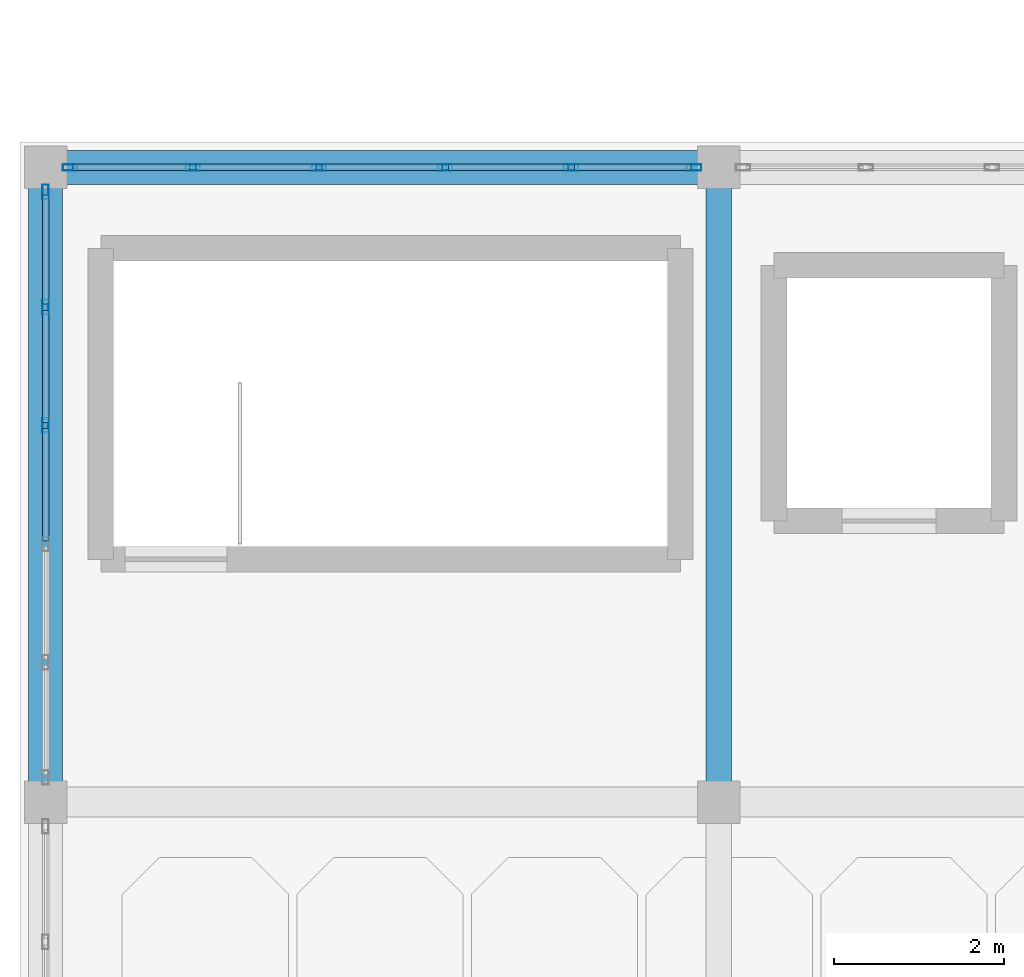
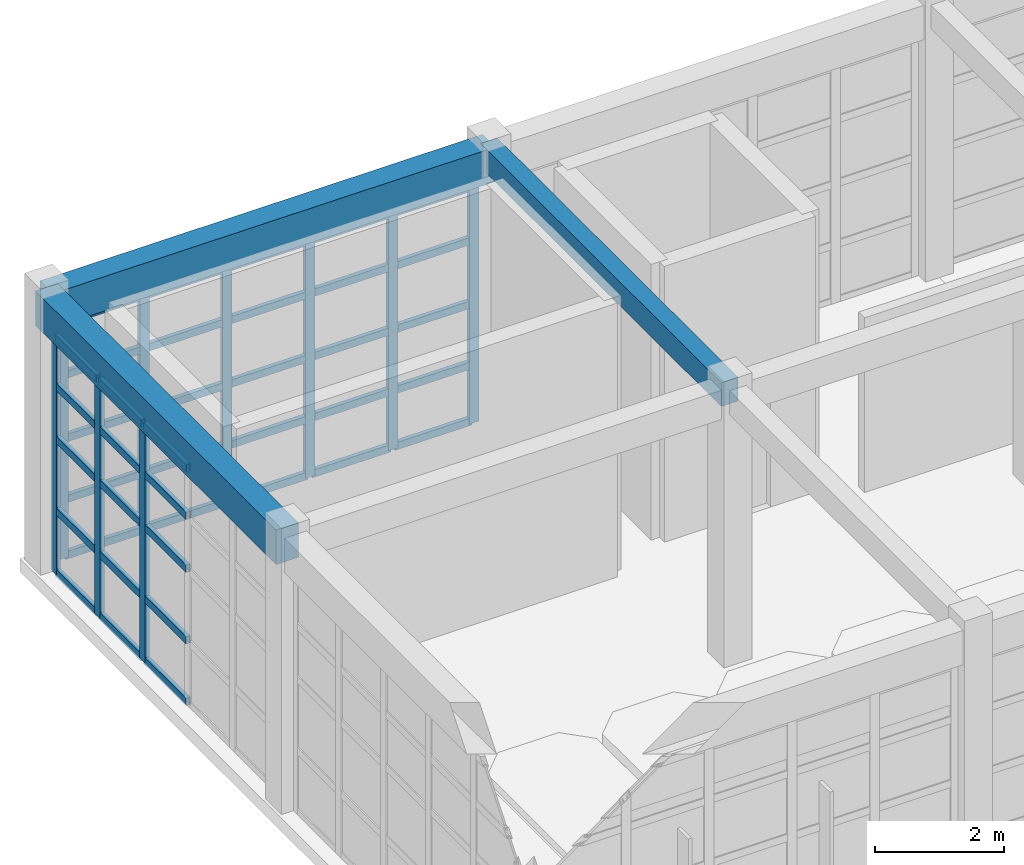
# One storey, part 11 of 103: 49 members, 3 beams, 2 elements without a shape of their own.
"""IFC4 building model written with IfcOpenShell, lengths in metres."""

import ifcopenshell
import ifcopenshell.guid

model = None  # the IFC model being written
_history = None  # IfcOwnerHistory: only IFC2X3 demands one
_inside = {}  # id of a spatial element -> (the spatial element, [elements in it])
_under = {}  # id of a project, library or spatial element -> (it, [spatial elements below it])
_declared = {}  # id of a project -> (the project, [libraries it declares])
_typed = {}  # id of a type object -> (the type object, [elements of that type])
_made_of = {}  # id of a material, layer set ... -> (it, [elements and type objects made of it])


def new_model(schema):
    """Start an empty IFC model of exactly this schema.

    Asked for "IFC4X3", IfcOpenShell would pick the latest addendum, in which some entities
    have other attributes; the version numbers below select the first issue.
    IFC2X3 requires an IfcOwnerHistory on every rooted entity: one is made here for all.
    """
    global model, _history
    if schema == "IFC4X3":
        model = ifcopenshell.file(schema_version=(4, 3, 0, 0))
    else:
        model = ifcopenshell.file(schema=schema)
    _inside.clear()
    _under.clear()
    _declared.clear()
    _typed.clear()
    _made_of.clear()
    _history = None
    if model.schema == "IFC2X3":
        org = make("IfcOrganization", Name="unknown")
        user = make(
            "IfcPersonAndOrganization",
            ThePerson=make("IfcPerson", FamilyName="unknown"),
            TheOrganization=org,
        )
        app = make(
            "IfcApplication",
            ApplicationDeveloper=org,
            Version="unknown",
            ApplicationFullName="unknown",
            ApplicationIdentifier="unknown",
        )
        _history = make(
            "IfcOwnerHistory",
            OwningUser=user,
            OwningApplication=app,
            ChangeAction="ADDED",
            CreationDate=0,
        )
    return model


def make(cls, **values):
    """One entity of the class cls with the attributes given. An attribute that is None is left unset."""
    return model.create_entity(
        cls, **{name: value for name, value in values.items() if value is not None}
    )


def rooted(cls, **values):
    """An entity with a GlobalId (a new one), such as an element, a storey or a relation."""
    return make(cls, GlobalId=ifcopenshell.guid.new(), OwnerHistory=_history, **values)


def si_unit(unit_type, name, prefix=None):
    """IfcSIUnit, for example si_unit("LENGTHUNIT", "METRE", prefix="MILLI")."""
    return make("IfcSIUnit", UnitType=unit_type, Prefix=prefix, Name=name)


def assignment(units):
    """IfcUnitAssignment: the units of a project."""
    return None if units is None else make("IfcUnitAssignment", Units=units)


def point(xyz):
    """IfcCartesianPoint."""
    return None if xyz is None else make("IfcCartesianPoint", Coordinates=xyz)


def direction(xyz):
    """IfcDirection."""
    return None if xyz is None else make("IfcDirection", DirectionRatios=xyz)


def frame(location, z_axis=None, x_axis=None):
    """IfcAxis2Placement3D, a coordinate frame: its origin and axes. An axis left out is left unset."""
    return make(
        "IfcAxis2Placement3D",
        Location=point(location),
        Axis=direction(z_axis),
        RefDirection=direction(x_axis),
    )


def frame_2d(location, x_axis=None):
    """IfcAxis2Placement2D, a coordinate frame in the plane: its origin and x axis."""
    return make(
        "IfcAxis2Placement2D", Location=point(location), RefDirection=direction(x_axis)
    )


def origin():
    """The frame at (0, 0, 0) with its axes left unset."""
    return frame((0.0, 0.0, 0.0))


def origin_2d():
    """The frame at (0, 0) in the plane with its x axis left unset."""
    return frame_2d((0.0, 0.0))


def place(relative_to, where):
    """IfcLocalPlacement: puts the frame where relative to a parent placement (None: the world)."""
    return make(
        "IfcLocalPlacement", PlacementRelTo=relative_to, RelativePlacement=where
    )


def context(
    kind, dimensions, precision=None, world=None, true_north=None, identifier=None
):
    """IfcGeometricRepresentationContext, for example the 3D "Model" context."""
    return make(
        "IfcGeometricRepresentationContext",
        ContextIdentifier=identifier,
        ContextType=kind,
        CoordinateSpaceDimension=dimensions,
        Precision=precision,
        WorldCoordinateSystem=world,
        TrueNorth=true_north,
    )


def subcontext(parent, identifier, kind, view, scale=None):
    """IfcGeometricRepresentationSubContext, for example "Body" below "Model"."""
    return make(
        "IfcGeometricRepresentationSubContext",
        ContextIdentifier=identifier,
        ContextType=kind,
        ParentContext=parent,
        TargetScale=scale,
        TargetView=view,
    )


def project(units=None, contexts=None):
    """IfcProject with its units and contexts."""
    return rooted(
        "IfcProject",
        Name="project",
        RepresentationContexts=contexts,
        UnitsInContext=assignment(units),
    )


def spatial(cls, under=None, at=None, **own):
    """A site, building, storey or space (cls), placed at a placement, below another one or the project."""
    s = rooted(cls, ObjectPlacement=at, **own)
    if under is not None:
        _under.setdefault(under.id(), (under, []))[1].append(s)
    return s


def profile(cls, at=None, kind="AREA", **sizes):
    """A parametric profile (cls). Its sizes go by their IFC names, for example OverallWidth=200.0."""
    return make(cls, ProfileType=kind, Position=at, **sizes)


def rectangle(**sizes):
    """IfcRectangleProfileDef."""
    return profile("IfcRectangleProfileDef", **sizes)


def hollow_rectangle(**sizes):
    """IfcRectangleHollowProfileDef."""
    return profile("IfcRectangleHollowProfileDef", **sizes)


def extrude(swept, where, along, depth):
    """IfcExtrudedAreaSolid: the profile swept, set in the frame where, extruded along a direction by depth."""
    return make(
        "IfcExtrudedAreaSolid",
        SweptArea=swept,
        Position=where,
        ExtrudedDirection=direction(along),
        Depth=depth,
    )


def shape(context_of_items, identifier, shape_type, items):
    """IfcShapeRepresentation: the items that make up one representation, for example the "Body"."""
    return make(
        "IfcShapeRepresentation",
        ContextOfItems=context_of_items,
        RepresentationIdentifier=identifier,
        RepresentationType=shape_type,
        Items=items,
    )


def material(Name=None, Category=None):
    """IfcMaterial."""
    return make("IfcMaterial", Name=Name, Category=Category)


def layer(
    of_material, thickness, ventilated=None, Name=None, Category=None, Priority=None
):
    """IfcMaterialLayer: one layer of a wall or slab, of a material (None: an air gap)."""
    return make(
        "IfcMaterialLayer",
        Material=of_material,
        LayerThickness=thickness,
        IsVentilated=ventilated,
        Name=Name,
        Category=Category,
        Priority=Priority,
    )


def layer_set(layers, Name=None):
    """IfcMaterialLayerSet."""
    return make("IfcMaterialLayerSet", MaterialLayers=layers, LayerSetName=Name)


def material_profile(
    of_material, cross_section, Name=None, Category=None, Priority=None
):
    """IfcMaterialProfile: a cross section and its material."""
    return make(
        "IfcMaterialProfile",
        Name=Name,
        Material=of_material,
        Profile=cross_section,
        Priority=Priority,
        Category=Category,
    )


def profile_set(profiles, Name=None, composite=None):
    """IfcMaterialProfileSet."""
    return make(
        "IfcMaterialProfileSet",
        Name=Name,
        MaterialProfiles=profiles,
        CompositeProfile=composite,
    )


def made_of(thing, what):
    """Note that an element or type object is made of a material, layer set ...; save() writes the relation."""
    if what is not None:
        _made_of.setdefault(what.id(), (what, []))[1].append(thing)
    return thing


def type_object(cls, material=None, **own):
    """A type object (cls), such as IfcWallType, which elements share."""
    return made_of(rooted(cls, **own), material)


def element(
    cls,
    number,
    at=None,
    inside=None,
    cuts=None,
    type_object=None,
    material=None,
    context=None,
    identifier="Body",
    shape_type=None,
    held_by="IfcProductDefinitionShape",
    body=None,
    shapes=None,
    **own,
):
    """One element of the class cls, such as IfcWall. Its Tag is "e" and its number.

    at: its placement. inside: the storey or other place that contains it. cuts: it is an
    opening in that element (IfcRelVoidsElement). A single representation is given by context,
    identifier, shape_type and body (its items); several are given by shapes. held_by: the class
    of the entity that holds the representations. save() writes the other relations.
    """
    e = rooted(cls, Tag="e%d" % number, ObjectPlacement=at, **own)
    if body is not None:
        shapes = [shape(context, identifier, shape_type, body)]
    if shapes is not None:
        e.Representation = make(held_by, Representations=shapes)
    if inside is not None:
        _inside.setdefault(inside.id(), (inside, []))[1].append(e)
    if cuts is not None:
        rooted(
            "IfcRelVoidsElement", RelatingBuildingElement=cuts, RelatedOpeningElement=e
        )
    if type_object is not None:
        _typed.setdefault(type_object.id(), (type_object, []))[1].append(e)
    return made_of(e, material)


def aggregate(whole, parts):
    """IfcRelAggregates: a whole, such as a stair, and the parts it consists of."""
    return rooted("IfcRelAggregates", RelatingObject=whole, RelatedObjects=parts)


def save(model, path):
    """Write the relations noted so far, then the file.

    IfcRelAggregates (storeys below a building ...), IfcRelContainedInSpatialStructure (elements
    in a storey), IfcRelDefinesByType, IfcRelAssociatesMaterial and IfcRelDeclares: one each for
    every whole, place, type object, material and project.
    """
    for whole, parts in _under.values():
        aggregate(whole, parts)
    for where, things in _inside.values():
        rooted(
            "IfcRelContainedInSpatialStructure",
            RelatedElements=things,
            RelatingStructure=where,
        )
    for kind, things in _typed.values():
        rooted("IfcRelDefinesByType", RelatedObjects=things, RelatingType=kind)
    for what, things in _made_of.values():
        rooted("IfcRelAssociatesMaterial", RelatedObjects=things, RelatingMaterial=what)
    for by, libraries in _declared.values():
        rooted("IfcRelDeclares", RelatingContext=by, RelatedDefinitions=libraries)
    model.write(path)


model = new_model("IFC4")

# Units and contexts
model_context = context("Model", 3, precision=1e-05, world=origin(), true_north=direction((0.0, 1.0)))
body_context = subcontext(model_context, "Body", "Model", "MODEL_VIEW")
ifc_project = project(units=[si_unit("LENGTHUNIT", "METRE"), si_unit("AREAUNIT", "SQUARE_METRE"), si_unit("VOLUMEUNIT", "CUBIC_METRE"), si_unit("PLANEANGLEUNIT", "RADIAN"), si_unit("MASSUNIT", "GRAM", prefix="KILO")], contexts=[model_context])

# Site, building, storey
site_placement = place(None, origin())
site = spatial("IfcSite", under=ifc_project, at=site_placement, CompositionType="ELEMENT")
building_placement = place(site_placement, origin())
building = spatial("IfcBuilding", under=site, at=building_placement, Name="Candilejo Ridge Gondola Terminal", CompositionType="ELEMENT")
storey_placement = place(building_placement, frame((0.0, 0.0, 9.0)))
storey = spatial("IfcBuildingStorey", under=building, at=storey_placement, Name="L02", CompositionType="ELEMENT", Elevation=9.0)

# Curtain wall, members
ifc_material_1 = material(Name="Anodised aluminium AA 6063-T6", Category="aluminium")
ifc_layer_1 = layer(ifc_material_1, 0.169921875)
ifc_layer_set_1 = layer_set([ifc_layer_1], Name="ARC-CW-GALLERY-3200-740X449")
curtain_wall_type_1 = type_object("IfcCurtainWallType", Name="ARC-CW-GALLERY-3200-740X449", PredefinedType="NOTDEFINED", material=ifc_layer_set_1)
curtain_wall_1_placement = place(storey_placement, origin())
curtain_wall_1 = element("IfcCurtainWall", 1, at=curtain_wall_1_placement, inside=storey, type_object=curtain_wall_type_1, Name="Curtain wall V1 L02-004", PredefinedType="NOTDEFINED")
ifc_material_2 = material(Name="Anodised aluminium AA 6063-T6", Category="aluminium")
ifc_material_profile_1 = material_profile(ifc_material_2, hollow_rectangle(XDim=0.074951171875, YDim=0.169921875, WallThickness=0.00390625, at=origin_2d()))
ifc_profile_set_1 = profile_set([ifc_material_profile_1], Name="Anodised aluminium AA 6063-T6")
member_type_1 = type_object("IfcMemberType", Name="ARC-CW-MULLION", PredefinedType="MULLION", material=ifc_profile_set_1)
member_1_placement = place(storey_placement, frame((4.58740234375, 25.699951171875, 0.0), z_axis=(0.0, 0.0, 1.0), x_axis=(0.0, 1.0, 0.0)))
member_1 = element("IfcMember", 2, at=member_1_placement, type_object=member_type_1, Name="CW-74X44 mullion 1", PredefinedType="MULLION", context=body_context, shape_type="SweptSolid", body=[
    extrude(hollow_rectangle(XDim=0.074951171875, YDim=0.169921875, WallThickness=0.00390625, at=origin_2d()), origin(), (0.0, 0.0, 1.0), 4.489990234375),
])
member_2_placement = place(storey_placement, frame((6.030029296875, 25.699951171875, 0.0), z_axis=(0.0, 0.0, 1.0), x_axis=(0.0, 1.0, 0.0)))
member_2 = element("IfcMember", 3, at=member_2_placement, type_object=member_type_1, Name="CW-74X44 mullion 2", PredefinedType="MULLION", context=body_context, shape_type="SweptSolid", body=[
    extrude(hollow_rectangle(XDim=0.074951171875, YDim=0.169921875, WallThickness=0.00390625, at=origin_2d()), origin(), (0.0, 0.0, 1.0), 4.489990234375),
])
member_3_placement = place(storey_placement, frame((7.510009765625, 25.699951171875, 0.0), z_axis=(0.0, 0.0, 1.0), x_axis=(0.0, 1.0, 0.0)))
member_3 = element("IfcMember", 4, at=member_3_placement, type_object=member_type_1, Name="CW-74X44 mullion 3", PredefinedType="MULLION", context=body_context, shape_type="SweptSolid", body=[
    extrude(hollow_rectangle(XDim=0.074951171875, YDim=0.169921875, WallThickness=0.00390625, at=origin_2d()), origin(), (0.0, 0.0, 1.0), 4.489990234375),
])
member_4_placement = place(storey_placement, frame((8.989990234375, 25.699951171875, 0.0), z_axis=(0.0, 0.0, 1.0), x_axis=(0.0, 1.0, 0.0)))
member_4 = element("IfcMember", 5, at=member_4_placement, type_object=member_type_1, Name="CW-74X44 mullion 4", PredefinedType="MULLION", context=body_context, shape_type="SweptSolid", body=[
    extrude(hollow_rectangle(XDim=0.074951171875, YDim=0.169921875, WallThickness=0.00390625, at=origin_2d()), origin(), (0.0, 0.0, 1.0), 4.489990234375),
])
member_5_placement = place(storey_placement, frame((10.469970703125, 25.699951171875, 0.0), z_axis=(0.0, 0.0, 1.0), x_axis=(0.0, 1.0, 0.0)))
member_5 = element("IfcMember", 6, at=member_5_placement, type_object=member_type_1, Name="CW-74X44 mullion 5", PredefinedType="MULLION", context=body_context, shape_type="SweptSolid", body=[
    extrude(hollow_rectangle(XDim=0.074951171875, YDim=0.169921875, WallThickness=0.00390625, at=origin_2d()), origin(), (0.0, 0.0, 1.0), 4.489990234375),
])
member_6_placement = place(storey_placement, frame((11.91259765625, 25.699951171875, 0.0), z_axis=(0.0, 0.0, 1.0), x_axis=(0.0, 1.0, 0.0)))
member_6 = element("IfcMember", 7, at=member_6_placement, type_object=member_type_1, Name="CW-74X44 mullion 6", PredefinedType="MULLION", context=body_context, shape_type="SweptSolid", body=[
    extrude(hollow_rectangle(XDim=0.074951171875, YDim=0.169921875, WallThickness=0.00390625, at=origin_2d()), origin(), (0.0, 0.0, 1.0), 4.489990234375),
])

ifc_material_3 = material(Name="Anodised aluminium AA 6063-T6", Category="aluminium")
ifc_layer_2 = layer(ifc_material_3, 0.169921875)
ifc_layer_set_2 = layer_set([ifc_layer_2], Name="ARC-CW-CONCOURSE-3600-695X449")
curtain_wall_type_2 = type_object("IfcCurtainWallType", Name="ARC-CW-CONCOURSE-3600-695X449", PredefinedType="NOTDEFINED", material=ifc_layer_set_2)
curtain_wall_2_placement = place(storey_placement, origin())
curtain_wall_2 = element("IfcCurtainWall", 8, at=curtain_wall_2_placement, inside=storey, type_object=curtain_wall_type_2, Name="Curtain wall V1 L02-023", PredefinedType="NOTDEFINED")
member_7_placement = place(storey_placement, frame((4.300048828125, 22.669921875, 0.0), z_axis=(0.0, 0.0, 1.0), x_axis=(-1.0, 0.0, 0.0)))
member_7 = element("IfcMember", 9, at=member_7_placement, type_object=member_type_1, Name="CW-69X44 mullion 4", PredefinedType="MULLION", context=body_context, shape_type="SweptSolid", body=[
    extrude(hollow_rectangle(XDim=0.074951171875, YDim=0.169921875, WallThickness=0.00390625, at=origin_2d()), origin(), (0.0, 0.0, 1.0), 4.489990234375),
])
member_8_placement = place(storey_placement, frame((4.300048828125, 24.06005859375, 0.0), z_axis=(0.0, 0.0, 1.0), x_axis=(-1.0, 0.0, 0.0)))
member_8 = element("IfcMember", 10, at=member_8_placement, type_object=member_type_1, Name="CW-69X44 mullion 5", PredefinedType="MULLION", context=body_context, shape_type="SweptSolid", body=[
    extrude(hollow_rectangle(XDim=0.074951171875, YDim=0.169921875, WallThickness=0.00390625, at=origin_2d()), origin(), (0.0, 0.0, 1.0), 4.489990234375),
])
member_9_placement = place(storey_placement, frame((4.300048828125, 25.41259765625, 0.0), z_axis=(0.0, 0.0, 1.0), x_axis=(-1.0, 0.0, 0.0)))
member_9 = element("IfcMember", 11, at=member_9_placement, type_object=member_type_1, Name="CW-69X44 mullion 6", PredefinedType="MULLION", context=body_context, shape_type="SweptSolid", body=[
    extrude(hollow_rectangle(XDim=0.074951171875, YDim=0.169921875, WallThickness=0.00390625, at=origin_2d()), origin(), (0.0, 0.0, 1.0), 4.489990234375),
])

# Member
ifc_material_4 = material(Name="Anodised aluminium AA 6063-T6", Category="aluminium")
ifc_material_profile_2 = material_profile(ifc_material_4, hollow_rectangle(XDim=0.074951171875, YDim=0.139892578125, WallThickness=0.00390625, at=origin_2d()))
ifc_profile_set_2 = profile_set([ifc_material_profile_2], Name="Anodised aluminium AA 6063-T6")
member_type_2 = type_object("IfcMemberType", Name="ARC-CW-TRANSOM", PredefinedType="USERDEFINED", material=ifc_profile_set_2)
member_10_placement = place(storey_placement, frame((4.625, 25.699951171875, 0.03759765625), z_axis=(1.0, 0.0, 0.0), x_axis=(0.0, 1.0, 0.0)))
member_10 = element("IfcMember", 12, at=member_10_placement, type_object=member_type_2, Name="CW-74X44 transom 1.1", ObjectType="TRANSOM", PredefinedType="USERDEFINED", context=body_context, shape_type="SweptSolid", body=[
    extrude(hollow_rectangle(XDim=0.074951171875, YDim=0.139892578125, WallThickness=0.00390625, at=origin_2d()), origin(), (0.0, 0.0, 1.0), 1.367431640625),
])

member_11_placement = place(storey_placement, frame((4.625, 25.699951171875, 1.10009765625), z_axis=(1.0, 0.0, 0.0), x_axis=(0.0, 1.0, 0.0)))
member_11 = element("IfcMember", 13, at=member_11_placement, type_object=member_type_2, Name="CW-74X44 transom 1.2", ObjectType="TRANSOM", PredefinedType="USERDEFINED", context=body_context, shape_type="SweptSolid", body=[
    extrude(hollow_rectangle(XDim=0.074951171875, YDim=0.139892578125, WallThickness=0.00390625, at=origin_2d()), origin(), (0.0, 0.0, 1.0), 1.367431640625),
])

member_12_placement = place(storey_placement, frame((4.625, 25.699951171875, 2.25), z_axis=(1.0, 0.0, 0.0), x_axis=(0.0, 1.0, 0.0)))
member_12 = element("IfcMember", 14, at=member_12_placement, type_object=member_type_2, Name="CW-74X44 transom 1.3", ObjectType="TRANSOM", PredefinedType="USERDEFINED", context=body_context, shape_type="SweptSolid", body=[
    extrude(hollow_rectangle(XDim=0.074951171875, YDim=0.139892578125, WallThickness=0.00390625, at=origin_2d()), origin(), (0.0, 0.0, 1.0), 1.367431640625),
])

member_13_placement = place(storey_placement, frame((4.625, 25.699951171875, 3.449951171875), z_axis=(1.0, 0.0, 0.0), x_axis=(0.0, 1.0, 0.0)))
member_13 = element("IfcMember", 15, at=member_13_placement, type_object=member_type_2, Name="CW-74X44 transom 1.4", ObjectType="TRANSOM", PredefinedType="USERDEFINED", context=body_context, shape_type="SweptSolid", body=[
    extrude(hollow_rectangle(XDim=0.074951171875, YDim=0.139892578125, WallThickness=0.00390625, at=origin_2d()), origin(), (0.0, 0.0, 1.0), 1.367431640625),
])

member_14_placement = place(storey_placement, frame((4.625, 25.699951171875, 4.452392578125), z_axis=(1.0, 0.0, 0.0), x_axis=(0.0, 1.0, 0.0)))
member_14 = element("IfcMember", 16, at=member_14_placement, type_object=member_type_2, Name="CW-74X44 transom 1.5", ObjectType="TRANSOM", PredefinedType="USERDEFINED", context=body_context, shape_type="SweptSolid", body=[
    extrude(hollow_rectangle(XDim=0.074951171875, YDim=0.139892578125, WallThickness=0.00390625, at=origin_2d()), origin(), (0.0, 0.0, 1.0), 1.367431640625),
])

member_15_placement = place(storey_placement, frame((6.0673828125, 25.699951171875, 0.03759765625), z_axis=(1.0, 0.0, 0.0), x_axis=(0.0, 1.0, 0.0)))
member_15 = element("IfcMember", 17, at=member_15_placement, type_object=member_type_2, Name="CW-74X44 transom 2.1", ObjectType="TRANSOM", PredefinedType="USERDEFINED", context=body_context, shape_type="SweptSolid", body=[
    extrude(hollow_rectangle(XDim=0.074951171875, YDim=0.139892578125, WallThickness=0.00390625, at=origin_2d()), origin(), (0.0, 0.0, 1.0), 1.405029296875),
])

member_16_placement = place(storey_placement, frame((6.0673828125, 25.699951171875, 1.10009765625), z_axis=(1.0, 0.0, 0.0), x_axis=(0.0, 1.0, 0.0)))
member_16 = element("IfcMember", 18, at=member_16_placement, type_object=member_type_2, Name="CW-74X44 transom 2.2", ObjectType="TRANSOM", PredefinedType="USERDEFINED", context=body_context, shape_type="SweptSolid", body=[
    extrude(hollow_rectangle(XDim=0.074951171875, YDim=0.139892578125, WallThickness=0.00390625, at=origin_2d()), origin(), (0.0, 0.0, 1.0), 1.405029296875),
])

member_17_placement = place(storey_placement, frame((6.0673828125, 25.699951171875, 2.25), z_axis=(1.0, 0.0, 0.0), x_axis=(0.0, 1.0, 0.0)))
member_17 = element("IfcMember", 19, at=member_17_placement, type_object=member_type_2, Name="CW-74X44 transom 2.3", ObjectType="TRANSOM", PredefinedType="USERDEFINED", context=body_context, shape_type="SweptSolid", body=[
    extrude(hollow_rectangle(XDim=0.074951171875, YDim=0.139892578125, WallThickness=0.00390625, at=origin_2d()), origin(), (0.0, 0.0, 1.0), 1.405029296875),
])

member_18_placement = place(storey_placement, frame((6.0673828125, 25.699951171875, 3.449951171875), z_axis=(1.0, 0.0, 0.0), x_axis=(0.0, 1.0, 0.0)))
member_18 = element("IfcMember", 20, at=member_18_placement, type_object=member_type_2, Name="CW-74X44 transom 2.4", ObjectType="TRANSOM", PredefinedType="USERDEFINED", context=body_context, shape_type="SweptSolid", body=[
    extrude(hollow_rectangle(XDim=0.074951171875, YDim=0.139892578125, WallThickness=0.00390625, at=origin_2d()), origin(), (0.0, 0.0, 1.0), 1.405029296875),
])

member_19_placement = place(storey_placement, frame((6.0673828125, 25.699951171875, 4.452392578125), z_axis=(1.0, 0.0, 0.0), x_axis=(0.0, 1.0, 0.0)))
member_19 = element("IfcMember", 21, at=member_19_placement, type_object=member_type_2, Name="CW-74X44 transom 2.5", ObjectType="TRANSOM", PredefinedType="USERDEFINED", context=body_context, shape_type="SweptSolid", body=[
    extrude(hollow_rectangle(XDim=0.074951171875, YDim=0.139892578125, WallThickness=0.00390625, at=origin_2d()), origin(), (0.0, 0.0, 1.0), 1.405029296875),
])

member_20_placement = place(storey_placement, frame((7.547607421875, 25.699951171875, 0.03759765625), z_axis=(1.0, 0.0, 0.0), x_axis=(0.0, 1.0, 0.0)))
member_20 = element("IfcMember", 22, at=member_20_placement, type_object=member_type_2, Name="CW-74X44 transom 3.1", ObjectType="TRANSOM", PredefinedType="USERDEFINED", context=body_context, shape_type="SweptSolid", body=[
    extrude(hollow_rectangle(XDim=0.074951171875, YDim=0.139892578125, WallThickness=0.00390625, at=origin_2d()), origin(), (0.0, 0.0, 1.0), 1.40478515625),
])

member_21_placement = place(storey_placement, frame((7.547607421875, 25.699951171875, 1.10009765625), z_axis=(1.0, 0.0, 0.0), x_axis=(0.0, 1.0, 0.0)))
member_21 = element("IfcMember", 23, at=member_21_placement, type_object=member_type_2, Name="CW-74X44 transom 3.2", ObjectType="TRANSOM", PredefinedType="USERDEFINED", context=body_context, shape_type="SweptSolid", body=[
    extrude(hollow_rectangle(XDim=0.074951171875, YDim=0.139892578125, WallThickness=0.00390625, at=origin_2d()), origin(), (0.0, 0.0, 1.0), 1.40478515625),
])

member_22_placement = place(storey_placement, frame((7.547607421875, 25.699951171875, 2.25), z_axis=(1.0, 0.0, 0.0), x_axis=(0.0, 1.0, 0.0)))
member_22 = element("IfcMember", 24, at=member_22_placement, type_object=member_type_2, Name="CW-74X44 transom 3.3", ObjectType="TRANSOM", PredefinedType="USERDEFINED", context=body_context, shape_type="SweptSolid", body=[
    extrude(hollow_rectangle(XDim=0.074951171875, YDim=0.139892578125, WallThickness=0.00390625, at=origin_2d()), origin(), (0.0, 0.0, 1.0), 1.40478515625),
])

member_23_placement = place(storey_placement, frame((7.547607421875, 25.699951171875, 3.449951171875), z_axis=(1.0, 0.0, 0.0), x_axis=(0.0, 1.0, 0.0)))
member_23 = element("IfcMember", 25, at=member_23_placement, type_object=member_type_2, Name="CW-74X44 transom 3.4", ObjectType="TRANSOM", PredefinedType="USERDEFINED", context=body_context, shape_type="SweptSolid", body=[
    extrude(hollow_rectangle(XDim=0.074951171875, YDim=0.139892578125, WallThickness=0.00390625, at=origin_2d()), origin(), (0.0, 0.0, 1.0), 1.40478515625),
])

member_24_placement = place(storey_placement, frame((7.547607421875, 25.699951171875, 4.452392578125), z_axis=(1.0, 0.0, 0.0), x_axis=(0.0, 1.0, 0.0)))
member_24 = element("IfcMember", 26, at=member_24_placement, type_object=member_type_2, Name="CW-74X44 transom 3.5", ObjectType="TRANSOM", PredefinedType="USERDEFINED", context=body_context, shape_type="SweptSolid", body=[
    extrude(hollow_rectangle(XDim=0.074951171875, YDim=0.139892578125, WallThickness=0.00390625, at=origin_2d()), origin(), (0.0, 0.0, 1.0), 1.40478515625),
])

member_25_placement = place(storey_placement, frame((9.027587890625, 25.699951171875, 0.03759765625), z_axis=(1.0, 0.0, 0.0), x_axis=(0.0, 1.0, 0.0)))
member_25 = element("IfcMember", 27, at=member_25_placement, type_object=member_type_2, Name="CW-74X44 transom 4.1", ObjectType="TRANSOM", PredefinedType="USERDEFINED", context=body_context, shape_type="SweptSolid", body=[
    extrude(hollow_rectangle(XDim=0.074951171875, YDim=0.139892578125, WallThickness=0.00390625, at=origin_2d()), origin(), (0.0, 0.0, 1.0), 1.405029296875),
])

member_26_placement = place(storey_placement, frame((9.027587890625, 25.699951171875, 1.10009765625), z_axis=(1.0, 0.0, 0.0), x_axis=(0.0, 1.0, 0.0)))
member_26 = element("IfcMember", 28, at=member_26_placement, type_object=member_type_2, Name="CW-74X44 transom 4.2", ObjectType="TRANSOM", PredefinedType="USERDEFINED", context=body_context, shape_type="SweptSolid", body=[
    extrude(hollow_rectangle(XDim=0.074951171875, YDim=0.139892578125, WallThickness=0.00390625, at=origin_2d()), origin(), (0.0, 0.0, 1.0), 1.405029296875),
])

member_27_placement = place(storey_placement, frame((9.027587890625, 25.699951171875, 2.25), z_axis=(1.0, 0.0, 0.0), x_axis=(0.0, 1.0, 0.0)))
member_27 = element("IfcMember", 29, at=member_27_placement, type_object=member_type_2, Name="CW-74X44 transom 4.3", ObjectType="TRANSOM", PredefinedType="USERDEFINED", context=body_context, shape_type="SweptSolid", body=[
    extrude(hollow_rectangle(XDim=0.074951171875, YDim=0.139892578125, WallThickness=0.00390625, at=origin_2d()), origin(), (0.0, 0.0, 1.0), 1.405029296875),
])

member_28_placement = place(storey_placement, frame((9.027587890625, 25.699951171875, 3.449951171875), z_axis=(1.0, 0.0, 0.0), x_axis=(0.0, 1.0, 0.0)))
member_28 = element("IfcMember", 30, at=member_28_placement, type_object=member_type_2, Name="CW-74X44 transom 4.4", ObjectType="TRANSOM", PredefinedType="USERDEFINED", context=body_context, shape_type="SweptSolid", body=[
    extrude(hollow_rectangle(XDim=0.074951171875, YDim=0.139892578125, WallThickness=0.00390625, at=origin_2d()), origin(), (0.0, 0.0, 1.0), 1.405029296875),
])

member_29_placement = place(storey_placement, frame((9.027587890625, 25.699951171875, 4.452392578125), z_axis=(1.0, 0.0, 0.0), x_axis=(0.0, 1.0, 0.0)))
member_29 = element("IfcMember", 31, at=member_29_placement, type_object=member_type_2, Name="CW-74X44 transom 4.5", ObjectType="TRANSOM", PredefinedType="USERDEFINED", context=body_context, shape_type="SweptSolid", body=[
    extrude(hollow_rectangle(XDim=0.074951171875, YDim=0.139892578125, WallThickness=0.00390625, at=origin_2d()), origin(), (0.0, 0.0, 1.0), 1.405029296875),
])

member_30_placement = place(storey_placement, frame((10.507568359375, 25.699951171875, 0.03759765625), z_axis=(1.0, 0.0, 0.0), x_axis=(0.0, 1.0, 0.0)))
member_30 = element("IfcMember", 32, at=member_30_placement, type_object=member_type_2, Name="CW-74X44 transom 5.1", ObjectType="TRANSOM", PredefinedType="USERDEFINED", context=body_context, shape_type="SweptSolid", body=[
    extrude(hollow_rectangle(XDim=0.074951171875, YDim=0.139892578125, WallThickness=0.00390625, at=origin_2d()), origin(), (0.0, 0.0, 1.0), 1.367431640625),
])

member_31_placement = place(storey_placement, frame((10.507568359375, 25.699951171875, 1.10009765625), z_axis=(1.0, 0.0, 0.0), x_axis=(0.0, 1.0, 0.0)))
member_31 = element("IfcMember", 33, at=member_31_placement, type_object=member_type_2, Name="CW-74X44 transom 5.2", ObjectType="TRANSOM", PredefinedType="USERDEFINED", context=body_context, shape_type="SweptSolid", body=[
    extrude(hollow_rectangle(XDim=0.074951171875, YDim=0.139892578125, WallThickness=0.00390625, at=origin_2d()), origin(), (0.0, 0.0, 1.0), 1.367431640625),
])

member_32_placement = place(storey_placement, frame((10.507568359375, 25.699951171875, 2.25), z_axis=(1.0, 0.0, 0.0), x_axis=(0.0, 1.0, 0.0)))
member_32 = element("IfcMember", 34, at=member_32_placement, type_object=member_type_2, Name="CW-74X44 transom 5.3", ObjectType="TRANSOM", PredefinedType="USERDEFINED", context=body_context, shape_type="SweptSolid", body=[
    extrude(hollow_rectangle(XDim=0.074951171875, YDim=0.139892578125, WallThickness=0.00390625, at=origin_2d()), origin(), (0.0, 0.0, 1.0), 1.367431640625),
])

member_33_placement = place(storey_placement, frame((10.507568359375, 25.699951171875, 3.449951171875), z_axis=(1.0, 0.0, 0.0), x_axis=(0.0, 1.0, 0.0)))
member_33 = element("IfcMember", 35, at=member_33_placement, type_object=member_type_2, Name="CW-74X44 transom 5.4", ObjectType="TRANSOM", PredefinedType="USERDEFINED", context=body_context, shape_type="SweptSolid", body=[
    extrude(hollow_rectangle(XDim=0.074951171875, YDim=0.139892578125, WallThickness=0.00390625, at=origin_2d()), origin(), (0.0, 0.0, 1.0), 1.367431640625),
])

member_34_placement = place(storey_placement, frame((10.507568359375, 25.699951171875, 4.452392578125), z_axis=(1.0, 0.0, 0.0), x_axis=(0.0, 1.0, 0.0)))
member_34 = element("IfcMember", 36, at=member_34_placement, type_object=member_type_2, Name="CW-74X44 transom 5.5", ObjectType="TRANSOM", PredefinedType="USERDEFINED", context=body_context, shape_type="SweptSolid", body=[
    extrude(hollow_rectangle(XDim=0.074951171875, YDim=0.139892578125, WallThickness=0.00390625, at=origin_2d()), origin(), (0.0, 0.0, 1.0), 1.367431640625),
])

aggregate(curtain_wall_1, [member_1, member_2, member_3, member_4, member_5, member_6, member_10, member_11, member_12, member_13, member_14, member_15, member_16, member_17, member_18, member_19, member_20, member_21, member_22, member_23, member_24, member_25, member_26, member_27, member_28, member_29, member_30, member_31, member_32, member_33, member_34])

member_35_placement = place(storey_placement, frame((4.300048828125, 21.3173828125, 0.03759765625), z_axis=(0.0, 1.0, 0.0), x_axis=(-1.0, 0.0, 0.0)))
member_35 = element("IfcMember", 37, at=member_35_placement, type_object=member_type_2, Name="CW-69X44 transom 3.1", ObjectType="TRANSOM", PredefinedType="USERDEFINED", context=body_context, shape_type="SweptSolid", body=[
    extrude(hollow_rectangle(XDim=0.074951171875, YDim=0.139892578125, WallThickness=0.00390625, at=origin_2d()), origin(), (0.0, 0.0, 1.0), 1.315185546875),
])

member_36_placement = place(storey_placement, frame((4.300048828125, 21.3173828125, 1.199951171875), z_axis=(0.0, 1.0, 0.0), x_axis=(-1.0, 0.0, 0.0)))
member_36 = element("IfcMember", 38, at=member_36_placement, type_object=member_type_2, Name="CW-69X44 transom 3.2", ObjectType="TRANSOM", PredefinedType="USERDEFINED", context=body_context, shape_type="SweptSolid", body=[
    extrude(hollow_rectangle(XDim=0.074951171875, YDim=0.139892578125, WallThickness=0.00390625, at=origin_2d()), origin(), (0.0, 0.0, 1.0), 1.315185546875),
])

member_37_placement = place(storey_placement, frame((4.300048828125, 21.3173828125, 2.550048828125), z_axis=(0.0, 1.0, 0.0), x_axis=(-1.0, 0.0, 0.0)))
member_37 = element("IfcMember", 39, at=member_37_placement, type_object=member_type_2, Name="CW-69X44 transom 3.3", ObjectType="TRANSOM", PredefinedType="USERDEFINED", context=body_context, shape_type="SweptSolid", body=[
    extrude(hollow_rectangle(XDim=0.074951171875, YDim=0.139892578125, WallThickness=0.00390625, at=origin_2d()), origin(), (0.0, 0.0, 1.0), 1.315185546875),
])

member_38_placement = place(storey_placement, frame((4.300048828125, 21.3173828125, 3.550048828125), z_axis=(0.0, 1.0, 0.0), x_axis=(-1.0, 0.0, 0.0)))
member_38 = element("IfcMember", 40, at=member_38_placement, type_object=member_type_2, Name="CW-69X44 transom 3.4", ObjectType="TRANSOM", PredefinedType="USERDEFINED", context=body_context, shape_type="SweptSolid", body=[
    extrude(hollow_rectangle(XDim=0.074951171875, YDim=0.139892578125, WallThickness=0.00390625, at=origin_2d()), origin(), (0.0, 0.0, 1.0), 1.315185546875),
])

member_39_placement = place(storey_placement, frame((4.300048828125, 21.3173828125, 4.452392578125), z_axis=(0.0, 1.0, 0.0), x_axis=(-1.0, 0.0, 0.0)))
member_39 = element("IfcMember", 41, at=member_39_placement, type_object=member_type_2, Name="CW-69X44 transom 3.5", ObjectType="TRANSOM", PredefinedType="USERDEFINED", context=body_context, shape_type="SweptSolid", body=[
    extrude(hollow_rectangle(XDim=0.074951171875, YDim=0.139892578125, WallThickness=0.00390625, at=origin_2d()), origin(), (0.0, 0.0, 1.0), 1.315185546875),
])

member_40_placement = place(storey_placement, frame((4.300048828125, 22.70751953125, 0.03759765625), z_axis=(0.0, 1.0, 0.0), x_axis=(-1.0, 0.0, 0.0)))
member_40 = element("IfcMember", 42, at=member_40_placement, type_object=member_type_2, Name="CW-69X44 transom 4.1", ObjectType="TRANSOM", PredefinedType="USERDEFINED", context=body_context, shape_type="SweptSolid", body=[
    extrude(hollow_rectangle(XDim=0.074951171875, YDim=0.139892578125, WallThickness=0.00390625, at=origin_2d()), origin(), (0.0, 0.0, 1.0), 1.31494140625),
])

member_41_placement = place(storey_placement, frame((4.300048828125, 22.70751953125, 1.199951171875), z_axis=(0.0, 1.0, 0.0), x_axis=(-1.0, 0.0, 0.0)))
member_41 = element("IfcMember", 43, at=member_41_placement, type_object=member_type_2, Name="CW-69X44 transom 4.2", ObjectType="TRANSOM", PredefinedType="USERDEFINED", context=body_context, shape_type="SweptSolid", body=[
    extrude(hollow_rectangle(XDim=0.074951171875, YDim=0.139892578125, WallThickness=0.00390625, at=origin_2d()), origin(), (0.0, 0.0, 1.0), 1.31494140625),
])

member_42_placement = place(storey_placement, frame((4.300048828125, 22.70751953125, 2.550048828125), z_axis=(0.0, 1.0, 0.0), x_axis=(-1.0, 0.0, 0.0)))
member_42 = element("IfcMember", 44, at=member_42_placement, type_object=member_type_2, Name="CW-69X44 transom 4.3", ObjectType="TRANSOM", PredefinedType="USERDEFINED", context=body_context, shape_type="SweptSolid", body=[
    extrude(hollow_rectangle(XDim=0.074951171875, YDim=0.139892578125, WallThickness=0.00390625, at=origin_2d()), origin(), (0.0, 0.0, 1.0), 1.31494140625),
])

member_43_placement = place(storey_placement, frame((4.300048828125, 22.70751953125, 3.550048828125), z_axis=(0.0, 1.0, 0.0), x_axis=(-1.0, 0.0, 0.0)))
member_43 = element("IfcMember", 45, at=member_43_placement, type_object=member_type_2, Name="CW-69X44 transom 4.4", ObjectType="TRANSOM", PredefinedType="USERDEFINED", context=body_context, shape_type="SweptSolid", body=[
    extrude(hollow_rectangle(XDim=0.074951171875, YDim=0.139892578125, WallThickness=0.00390625, at=origin_2d()), origin(), (0.0, 0.0, 1.0), 1.31494140625),
])

member_44_placement = place(storey_placement, frame((4.300048828125, 22.70751953125, 4.452392578125), z_axis=(0.0, 1.0, 0.0), x_axis=(-1.0, 0.0, 0.0)))
member_44 = element("IfcMember", 46, at=member_44_placement, type_object=member_type_2, Name="CW-69X44 transom 4.5", ObjectType="TRANSOM", PredefinedType="USERDEFINED", context=body_context, shape_type="SweptSolid", body=[
    extrude(hollow_rectangle(XDim=0.074951171875, YDim=0.139892578125, WallThickness=0.00390625, at=origin_2d()), origin(), (0.0, 0.0, 1.0), 1.31494140625),
])

member_45_placement = place(storey_placement, frame((4.300048828125, 24.097412109375, 0.03759765625), z_axis=(0.0, 1.0, 0.0), x_axis=(-1.0, 0.0, 0.0)))
member_45 = element("IfcMember", 47, at=member_45_placement, type_object=member_type_2, Name="CW-69X44 transom 5.1", ObjectType="TRANSOM", PredefinedType="USERDEFINED", context=body_context, shape_type="SweptSolid", body=[
    extrude(hollow_rectangle(XDim=0.074951171875, YDim=0.139892578125, WallThickness=0.00390625, at=origin_2d()), origin(), (0.0, 0.0, 1.0), 1.277587890625),
])

member_46_placement = place(storey_placement, frame((4.300048828125, 24.097412109375, 1.199951171875), z_axis=(0.0, 1.0, 0.0), x_axis=(-1.0, 0.0, 0.0)))
member_46 = element("IfcMember", 48, at=member_46_placement, type_object=member_type_2, Name="CW-69X44 transom 5.2", ObjectType="TRANSOM", PredefinedType="USERDEFINED", context=body_context, shape_type="SweptSolid", body=[
    extrude(hollow_rectangle(XDim=0.074951171875, YDim=0.139892578125, WallThickness=0.00390625, at=origin_2d()), origin(), (0.0, 0.0, 1.0), 1.277587890625),
])

member_47_placement = place(storey_placement, frame((4.300048828125, 24.097412109375, 2.550048828125), z_axis=(0.0, 1.0, 0.0), x_axis=(-1.0, 0.0, 0.0)))
member_47 = element("IfcMember", 49, at=member_47_placement, type_object=member_type_2, Name="CW-69X44 transom 5.3", ObjectType="TRANSOM", PredefinedType="USERDEFINED", context=body_context, shape_type="SweptSolid", body=[
    extrude(hollow_rectangle(XDim=0.074951171875, YDim=0.139892578125, WallThickness=0.00390625, at=origin_2d()), origin(), (0.0, 0.0, 1.0), 1.277587890625),
])

member_48_placement = place(storey_placement, frame((4.300048828125, 24.097412109375, 3.550048828125), z_axis=(0.0, 1.0, 0.0), x_axis=(-1.0, 0.0, 0.0)))
member_48 = element("IfcMember", 50, at=member_48_placement, type_object=member_type_2, Name="CW-69X44 transom 5.4", ObjectType="TRANSOM", PredefinedType="USERDEFINED", context=body_context, shape_type="SweptSolid", body=[
    extrude(hollow_rectangle(XDim=0.074951171875, YDim=0.139892578125, WallThickness=0.00390625, at=origin_2d()), origin(), (0.0, 0.0, 1.0), 1.277587890625),
])

member_49_placement = place(storey_placement, frame((4.300048828125, 24.097412109375, 4.452392578125), z_axis=(0.0, 1.0, 0.0), x_axis=(-1.0, 0.0, 0.0)))
member_49 = element("IfcMember", 51, at=member_49_placement, type_object=member_type_2, Name="CW-69X44 transom 5.5", ObjectType="TRANSOM", PredefinedType="USERDEFINED", context=body_context, shape_type="SweptSolid", body=[
    extrude(hollow_rectangle(XDim=0.074951171875, YDim=0.139892578125, WallThickness=0.00390625, at=origin_2d()), origin(), (0.0, 0.0, 1.0), 1.277587890625),
])

aggregate(curtain_wall_2, [member_7, member_8, member_9, member_35, member_36, member_37, member_38, member_39, member_40, member_41, member_42, member_43, member_44, member_45, member_46, member_47, member_48, member_49])

# Beams
ifc_material_5 = material(Name="Concrete f'c 35 MPa (C35/45)", Category="concrete")
ifc_material_profile_3 = material_profile(ifc_material_5, rectangle(XDim=0.300048828125, YDim=0.449951171875, at=origin_2d()))
ifc_profile_set_3 = profile_set([ifc_material_profile_3], Name="Concrete f'c 35 MPa (C35/45)")
beam_type_1 = type_object("IfcBeamType", Name="STR-BM-RC300X450", PredefinedType="BEAM", material=ifc_profile_set_3)
beam_1_placement = place(storey_placement, frame((12.199951171875, 18.25, 4.97509765625), z_axis=(0.0, 1.0, 0.0), x_axis=(-1.0, 0.0, 0.0)))
element("IfcBeam", 52, at=beam_1_placement, inside=storey, type_object=beam_type_1, Name="Beam Y V1 L02 Y03-Y05@X02", PredefinedType="BEAM", context=body_context, shape_type="SweptSolid", body=[
    extrude(rectangle(XDim=0.300048828125, YDim=0.449951171875, at=origin_2d()), origin(), (0.0, 0.0, 1.0), 7.449951171875),
])
ifc_material_6 = material(Name="Concrete f'c 35 MPa (C35/45)", Category="concrete")
ifc_material_profile_4 = material_profile(ifc_material_6, rectangle(XDim=0.39990234375, YDim=0.64990234375, at=origin_2d()))
ifc_profile_set_4 = profile_set([ifc_material_profile_4], Name="Concrete f'c 35 MPa (C35/45)")
beam_type_2 = type_object("IfcBeamType", Name="STR-SPN-RC400X650", PredefinedType="SPANDREL", material=ifc_profile_set_4)
beam_2_placement = place(storey_placement, frame((4.300048828125, 25.699951171875, 4.875), z_axis=(1.0, 0.0, 0.0), x_axis=(0.0, 1.0, 0.0)))
element("IfcBeam", 53, at=beam_2_placement, inside=storey, type_object=beam_type_2, Name="Beam X V1 L02 X01-X02@Y05", PredefinedType="SPANDREL", context=body_context, shape_type="SweptSolid", body=[
    extrude(rectangle(XDim=0.39990234375, YDim=0.64990234375, at=origin_2d()), origin(), (0.0, 0.0, 1.0), 7.89990234375),
])
beam_3_placement = place(storey_placement, frame((4.300048828125, 18.25, 4.875), z_axis=(0.0, 1.0, 0.0), x_axis=(-1.0, 0.0, 0.0)))
element("IfcBeam", 54, at=beam_3_placement, inside=storey, type_object=beam_type_2, Name="Beam Y V1 L02 Y03-Y05@X01", PredefinedType="SPANDREL", context=body_context, shape_type="SweptSolid", body=[
    extrude(rectangle(XDim=0.39990234375, YDim=0.64990234375, at=origin_2d()), origin(), (0.0, 0.0, 1.0), 7.449951171875),
])

save(model, "model.ifc")
